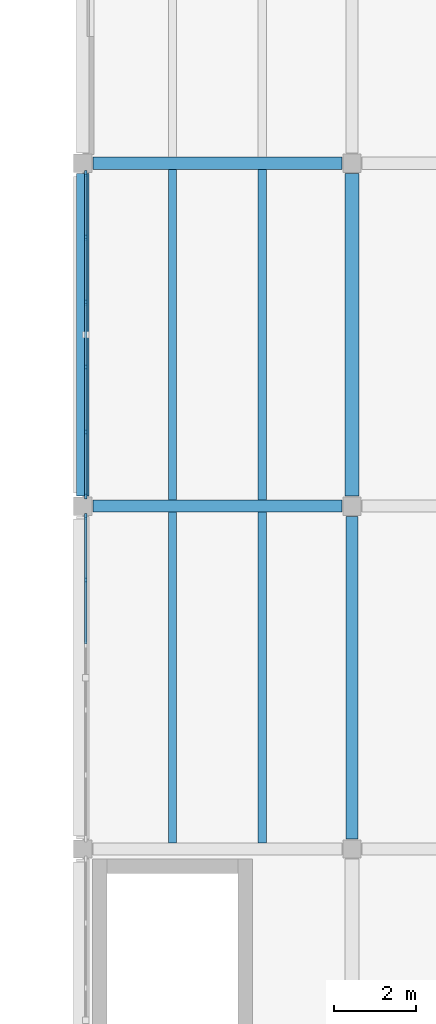
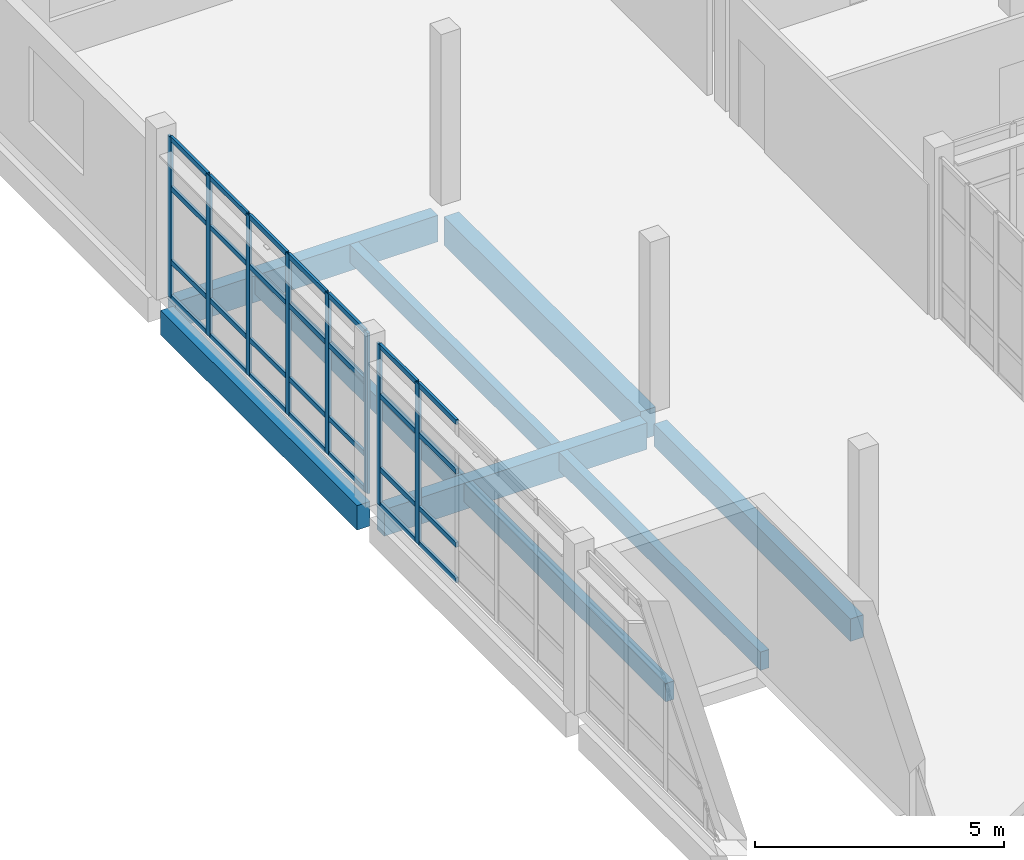
# One storey, part 29 of 74: 36 members, 9 beams, 2 elements without a shape of their own.
"""IFC4 building model written with IfcOpenShell, lengths in metres."""

from ifc_helpers import new_model, si_unit, direction, frame, origin, origin_2d, place, context, subcontext, project, spatial, rectangle, extrude, material, material_profile, profile_set, type_object, element, aggregate, save


model = new_model("IFC4")

# Units and contexts
model_context = context("Model", 3, precision=1e-05, world=origin(), true_north=direction((0.0, 1.0)))
body_context = subcontext(model_context, "Body", "Model", "MODEL_VIEW")
ifc_project = project(units=[si_unit("LENGTHUNIT", "METRE"), si_unit("AREAUNIT", "SQUARE_METRE"), si_unit("VOLUMEUNIT", "CUBIC_METRE"), si_unit("PLANEANGLEUNIT", "RADIAN"), si_unit("MASSUNIT", "GRAM", prefix="KILO")], contexts=[model_context])

# Site, building, storey
site_placement = place(None, origin())
site = spatial("IfcSite", under=ifc_project, at=site_placement, CompositionType="ELEMENT")
building_placement = place(site_placement, origin())
building = spatial("IfcBuilding", under=site, at=building_placement, Name="Qaldarim Faculty of Natural and Applied Sciences", CompositionType="ELEMENT")
storey_placement = place(building_placement, frame((0.0, 0.0, 14.39990234375)))
storey = spatial("IfcBuildingStorey", under=building, at=storey_placement, Name="L03", CompositionType="ELEMENT", Elevation=14.39990234375)

# Beams
ifc_material_1 = material(Name="Concrete C40/50", Category="concrete")
ifc_material_profile_1 = material_profile(ifc_material_1, rectangle(XDim=0.300048828125, YDim=0.550048828125, at=origin_2d()), Name="RC-B300x550")
ifc_profile_set_1 = profile_set([ifc_material_profile_1], Name="Concrete C40/50")
beam_type_1 = type_object("IfcBeamType", Name="FloorBeam-RC300x550", PredefinedType="BEAM", material=ifc_profile_set_1)
beam_1_placement = place(storey_placement, frame((158.39990234375, 92.64990234375, -0.534912109375), z_axis=(0.0, 1.0, 0.0), x_axis=(-1.0, 0.0, 0.0)))
element("IfcBeam", 1, at=beam_1_placement, inside=storey, type_object=beam_type_1, Name="Beam RC-B300x550 L02 X25/Y12-Y13", PredefinedType="BEAM", context=body_context, shape_type="SweptSolid", body=[
    extrude(rectangle(XDim=0.300048828125, YDim=0.550048828125, at=origin_2d()), origin(), (0.0, 0.0, 1.0), 7.900146484375),
])
ifc_material_profile_2 = material_profile(ifc_material_1, rectangle(XDim=0.199951171875, YDim=0.449951171875, at=origin_2d()), Name="RC-J200x450")
ifc_profile_set_2 = profile_set([ifc_material_profile_2], Name="Concrete C40/50")
beam_type_2 = type_object("IfcBeamType", Name="LabJoist-RC200x450", PredefinedType="JOIST", material=ifc_profile_set_2)
for number, where, z_axis, x_axis, name in (
    (2, (154.0, 92.550048828125, -0.48486328125), (0.0, 1.0, 0.0), (-1.0, 0.0, 0.0), "Laboratory joist L02 bay X24Y12-1"),
    (3, (156.199951171875, 92.550048828125, -0.48486328125), (0.0, 1.0, 0.0), (-1.0, 0.0, 0.0), "Laboratory joist L02 bay X24Y12-2"),
):
    element("IfcBeam", number, at=place(storey_placement, frame(where, z_axis=z_axis, x_axis=x_axis)), inside=storey, type_object=beam_type_2, Name=name, PredefinedType="JOIST", context=body_context, shape_type="SweptSolid", body=[
        extrude(rectangle(XDim=0.199951171875, YDim=0.449951171875, at=origin_2d()), origin(), (0.0, 0.0, 1.0), 8.099853515625),
    ])
for number, where, z_axis, x_axis, name in (
    (4, (154.0, 100.949951171875, -0.48486328125), (0.0, 1.0, 0.0), (-1.0, 0.0, 0.0), "Laboratory joist L02 bay X24Y13-1"),
    (5, (156.199951171875, 100.949951171875, -0.48486328125), (0.0, 1.0, 0.0), (-1.0, 0.0, 0.0), "Laboratory joist L02 bay X24Y13-2"),
):
    element("IfcBeam", number, at=place(storey_placement, frame(where, z_axis=z_axis, x_axis=x_axis)), inside=storey, type_object=beam_type_2, Name=name, PredefinedType="JOIST", context=body_context, shape_type="SweptSolid", body=[
        extrude(rectangle(XDim=0.199951171875, YDim=0.449951171875, at=origin_2d()), origin(), (0.0, 0.0, 1.0), 8.10009765625),
    ])

# Curtain wall, members
ifc_material_2 = material(Name="Anodised aluminium AW-6063", Category="aluminium")
curtain_wall_type = type_object("IfcCurtainWallType", Name="CurtainWallSystem-M1600", PredefinedType="USERDEFINED", material=ifc_material_2)
curtain_wall_1_placement = place(storey_placement, origin())
curtain_wall_1 = element("IfcCurtainWall", 6, at=curtain_wall_1_placement, inside=storey, type_object=curtain_wall_type, Name="Curtain wall CW-L03-W-X24Y12", ObjectType="UNITISED FACADE", PredefinedType="USERDEFINED")
ifc_material_profile_3 = material_profile(ifc_material_2, rectangle(XDim=0.06005859375, YDim=0.14990234375, at=origin_2d()), Name="ALU-M60x150")
ifc_profile_set_3 = profile_set([ifc_material_profile_3], Name="Anodised aluminium AW-6063")
member_type_1 = type_object("IfcMemberType", Name="Mullion-ALU60x150", PredefinedType="MULLION", material=ifc_profile_set_3)
member_1_placement = place(storey_placement, frame((151.8798828125, 100.550048828125, 0.0), z_axis=(0.0, 0.0, 1.0), x_axis=(1.0, 0.0, 0.0)))
member_1 = element("IfcMember", 7, at=member_1_placement, type_object=member_type_1, Name="Mullion 1 of CW-L03-W-X24Y12", PredefinedType="MULLION", context=body_context, shape_type="SweptSolid", body=[
    extrude(rectangle(XDim=0.06005859375, YDim=0.14990234375, at=origin_2d()), origin(), (0.0, 0.0, 1.0), 3.940185546875),
])
member_2_placement = place(storey_placement, frame((151.8798828125, 98.988037109375, 0.0), z_axis=(0.0, 0.0, 1.0), x_axis=(1.0, 0.0, 0.0)))
member_2 = element("IfcMember", 8, at=member_2_placement, type_object=member_type_1, Name="Mullion 2 of CW-L03-W-X24Y12", PredefinedType="MULLION", context=body_context, shape_type="SweptSolid", body=[
    extrude(rectangle(XDim=0.06005859375, YDim=0.14990234375, at=origin_2d()), origin(), (0.0, 0.0, 1.0), 3.940185546875),
])

curtain_wall_2_placement = place(storey_placement, origin())
curtain_wall_2 = element("IfcCurtainWall", 9, at=curtain_wall_2_placement, inside=storey, type_object=curtain_wall_type, Name="Curtain wall CW-L03-W-X24Y13", ObjectType="UNITISED FACADE", PredefinedType="USERDEFINED")
member_3_placement = place(storey_placement, frame((151.8798828125, 108.949951171875, 0.0), z_axis=(0.0, 0.0, 1.0), x_axis=(1.0, 0.0, 0.0)))
member_3 = element("IfcMember", 10, at=member_3_placement, type_object=member_type_1, Name="Mullion 1 of CW-L03-W-X24Y13", PredefinedType="MULLION", context=body_context, shape_type="SweptSolid", body=[
    extrude(rectangle(XDim=0.06005859375, YDim=0.14990234375, at=origin_2d()), origin(), (0.0, 0.0, 1.0), 3.940185546875),
])
member_4_placement = place(storey_placement, frame((151.8798828125, 107.387939453125, 0.0), z_axis=(0.0, 0.0, 1.0), x_axis=(1.0, 0.0, 0.0)))
member_4 = element("IfcMember", 11, at=member_4_placement, type_object=member_type_1, Name="Mullion 2 of CW-L03-W-X24Y13", PredefinedType="MULLION", context=body_context, shape_type="SweptSolid", body=[
    extrude(rectangle(XDim=0.06005859375, YDim=0.14990234375, at=origin_2d()), origin(), (0.0, 0.0, 1.0), 3.940185546875),
])
member_5_placement = place(storey_placement, frame((151.8798828125, 105.7958984375, 0.0), z_axis=(0.0, 0.0, 1.0), x_axis=(1.0, 0.0, 0.0)))
member_5 = element("IfcMember", 12, at=member_5_placement, type_object=member_type_1, Name="Mullion 3 of CW-L03-W-X24Y13", PredefinedType="MULLION", context=body_context, shape_type="SweptSolid", body=[
    extrude(rectangle(XDim=0.06005859375, YDim=0.14990234375, at=origin_2d()), origin(), (0.0, 0.0, 1.0), 3.940185546875),
])
member_6_placement = place(storey_placement, frame((151.8798828125, 104.2041015625, 0.0), z_axis=(0.0, 0.0, 1.0), x_axis=(1.0, 0.0, 0.0)))
member_6 = element("IfcMember", 13, at=member_6_placement, type_object=member_type_1, Name="Mullion 4 of CW-L03-W-X24Y13", PredefinedType="MULLION", context=body_context, shape_type="SweptSolid", body=[
    extrude(rectangle(XDim=0.06005859375, YDim=0.14990234375, at=origin_2d()), origin(), (0.0, 0.0, 1.0), 3.940185546875),
])
member_7_placement = place(storey_placement, frame((151.8798828125, 102.612060546875, 0.0), z_axis=(0.0, 0.0, 1.0), x_axis=(1.0, 0.0, 0.0)))
member_7 = element("IfcMember", 14, at=member_7_placement, type_object=member_type_1, Name="Mullion 5 of CW-L03-W-X24Y13", PredefinedType="MULLION", context=body_context, shape_type="SweptSolid", body=[
    extrude(rectangle(XDim=0.06005859375, YDim=0.14990234375, at=origin_2d()), origin(), (0.0, 0.0, 1.0), 3.940185546875),
])
member_8_placement = place(storey_placement, frame((151.8798828125, 101.050048828125, 0.0), z_axis=(0.0, 0.0, 1.0), x_axis=(1.0, 0.0, 0.0)))
member_8 = element("IfcMember", 15, at=member_8_placement, type_object=member_type_1, Name="Mullion 6 of CW-L03-W-X24Y13", PredefinedType="MULLION", context=body_context, shape_type="SweptSolid", body=[
    extrude(rectangle(XDim=0.06005859375, YDim=0.14990234375, at=origin_2d()), origin(), (0.0, 0.0, 1.0), 3.940185546875),
])

# Beams
ifc_material_profile_4 = material_profile(ifc_material_1, rectangle(XDim=0.300048828125, YDim=0.64990234375, at=origin_2d()), Name="RC-B300x650")
ifc_profile_set_4 = profile_set([ifc_material_profile_4], Name="Concrete C40/50")
beam_type_3 = type_object("IfcBeamType", Name="PrimaryBeam-RC300x650", PredefinedType="BEAM", material=ifc_profile_set_4)
for number, where, z_axis, x_axis, name in (
    (16, (152.050048828125, 100.800048828125, -0.5849609375), (1.0, 0.0, 0.0), (0.0, 1.0, 0.0), "Beam RC-B300x650 L02 X24-X25/Y13"),
    (17, (152.050048828125, 109.199951171875, -0.5849609375), (1.0, 0.0, 0.0), (0.0, 1.0, 0.0), "Beam RC-B300x650 L02 X24-X25/Y14"),
):
    element("IfcBeam", number, at=place(storey_placement, frame(where, z_axis=z_axis, x_axis=x_axis)), inside=storey, type_object=beam_type_3, Name=name, PredefinedType="BEAM", context=body_context, shape_type="SweptSolid", body=[
        extrude(rectangle(XDim=0.300048828125, YDim=0.64990234375, at=origin_2d()), origin(), (0.0, 0.0, 1.0), 6.099853515625),
    ])
ifc_material_profile_5 = material_profile(ifc_material_1, rectangle(XDim=0.35009765625, YDim=0.699951171875, at=origin_2d()), Name="RC-B350x700")
ifc_profile_set_5 = profile_set([ifc_material_profile_5], Name="Concrete C40/50")
beam_type_4 = type_object("IfcBeamType", Name="PrimaryGirder-RC350x700", PredefinedType="BEAM", material=ifc_profile_set_5)
beam_2_placement = place(storey_placement, frame((158.39990234375, 101.050048828125, -0.60986328125), z_axis=(0.0, 1.0, 0.0), x_axis=(-1.0, 0.0, 0.0)))
element("IfcBeam", 18, at=beam_2_placement, inside=storey, type_object=beam_type_4, Name="Beam RC-B350x700 L02 X25/Y13-Y14", PredefinedType="BEAM", context=body_context, shape_type="SweptSolid", body=[
    extrude(rectangle(XDim=0.35009765625, YDim=0.699951171875, at=origin_2d()), origin(), (0.0, 0.0, 1.0), 7.89990234375),
])
ifc_material_3 = material(Name="Precast concrete C40/50", Category="concrete")
ifc_material_profile_6 = material_profile(ifc_material_3, rectangle(XDim=0.300048828125, YDim=0.60009765625, at=origin_2d()), Name="RC-SP300x600")
ifc_profile_set_6 = profile_set([ifc_material_profile_6], Name="Precast concrete C40/50")
beam_type_5 = type_object("IfcBeamType", Name="SpandrelBeam-RC300x600", PredefinedType="SPANDREL", material=ifc_profile_set_6)
beam_3_placement = place(storey_placement, frame((151.800048828125, 101.050048828125, -0.559814453125), z_axis=(0.0, 1.0, 0.0), x_axis=(-1.0, 0.0, 0.0)))
element("IfcBeam", 19, at=beam_3_placement, inside=storey, type_object=beam_type_5, Name="Beam RC-SP300x600 L02 X24/Y13-Y14", PredefinedType="SPANDREL", context=body_context, shape_type="SweptSolid", body=[
    extrude(rectangle(XDim=0.300048828125, YDim=0.60009765625, at=origin_2d()), origin(), (0.0, 0.0, 1.0), 7.89990234375),
])

# Member
ifc_material_profile_7 = material_profile(ifc_material_2, rectangle(XDim=0.06005859375, YDim=0.1201171875, at=origin_2d()), Name="ALU-T60x120")
ifc_profile_set_7 = profile_set([ifc_material_profile_7], Name="Anodised aluminium AW-6063")
member_type_2 = type_object("IfcMemberType", Name="Transom-ALU60x120", PredefinedType="USERDEFINED", material=ifc_profile_set_7)
member_9_placement = place(storey_placement, frame((151.8798828125, 100.52001953125, 0.030029296875), z_axis=(0.0, -1.0, 0.0), x_axis=(1.0, 0.0, 0.0)))
member_9 = element("IfcMember", 20, at=member_9_placement, type_object=member_type_2, Name="Transom 1-1 of CW-L03-W-X24Y12", ObjectType="TRANSOM", PredefinedType="USERDEFINED", context=body_context, shape_type="SweptSolid", body=[
    extrude(rectangle(XDim=0.06005859375, YDim=0.1201171875, at=origin_2d()), origin(), (0.0, 0.0, 1.0), 1.501953125),
])

member_10_placement = place(storey_placement, frame((151.8798828125, 100.52001953125, 0.900146484375), z_axis=(0.0, -1.0, 0.0), x_axis=(1.0, 0.0, 0.0)))
member_10 = element("IfcMember", 21, at=member_10_placement, type_object=member_type_2, Name="Transom 1-2 of CW-L03-W-X24Y12", ObjectType="TRANSOM", PredefinedType="USERDEFINED", context=body_context, shape_type="SweptSolid", body=[
    extrude(rectangle(XDim=0.06005859375, YDim=0.1201171875, at=origin_2d()), origin(), (0.0, 0.0, 1.0), 1.501953125),
])

member_11_placement = place(storey_placement, frame((151.8798828125, 100.52001953125, 2.7001953125), z_axis=(0.0, -1.0, 0.0), x_axis=(1.0, 0.0, 0.0)))
member_11 = element("IfcMember", 22, at=member_11_placement, type_object=member_type_2, Name="Transom 1-3 of CW-L03-W-X24Y12", ObjectType="TRANSOM", PredefinedType="USERDEFINED", context=body_context, shape_type="SweptSolid", body=[
    extrude(rectangle(XDim=0.06005859375, YDim=0.1201171875, at=origin_2d()), origin(), (0.0, 0.0, 1.0), 1.501953125),
])

member_12_placement = place(storey_placement, frame((151.8798828125, 100.52001953125, 3.91015625), z_axis=(0.0, -1.0, 0.0), x_axis=(1.0, 0.0, 0.0)))
member_12 = element("IfcMember", 23, at=member_12_placement, type_object=member_type_2, Name="Transom 1-4 of CW-L03-W-X24Y12", ObjectType="TRANSOM", PredefinedType="USERDEFINED", context=body_context, shape_type="SweptSolid", body=[
    extrude(rectangle(XDim=0.06005859375, YDim=0.1201171875, at=origin_2d()), origin(), (0.0, 0.0, 1.0), 1.501953125),
])

member_13_placement = place(storey_placement, frame((151.8798828125, 98.9580078125, 0.030029296875), z_axis=(0.0, -1.0, 0.0), x_axis=(1.0, 0.0, 0.0)))
member_13 = element("IfcMember", 24, at=member_13_placement, type_object=member_type_2, Name="Transom 2-1 of CW-L03-W-X24Y12", ObjectType="TRANSOM", PredefinedType="USERDEFINED", context=body_context, shape_type="SweptSolid", body=[
    extrude(rectangle(XDim=0.06005859375, YDim=0.1201171875, at=origin_2d()), origin(), (0.0, 0.0, 1.0), 1.531982421875),
])

member_14_placement = place(storey_placement, frame((151.8798828125, 98.9580078125, 0.900146484375), z_axis=(0.0, -1.0, 0.0), x_axis=(1.0, 0.0, 0.0)))
member_14 = element("IfcMember", 25, at=member_14_placement, type_object=member_type_2, Name="Transom 2-2 of CW-L03-W-X24Y12", ObjectType="TRANSOM", PredefinedType="USERDEFINED", context=body_context, shape_type="SweptSolid", body=[
    extrude(rectangle(XDim=0.06005859375, YDim=0.1201171875, at=origin_2d()), origin(), (0.0, 0.0, 1.0), 1.531982421875),
])

member_15_placement = place(storey_placement, frame((151.8798828125, 98.9580078125, 2.7001953125), z_axis=(0.0, -1.0, 0.0), x_axis=(1.0, 0.0, 0.0)))
member_15 = element("IfcMember", 26, at=member_15_placement, type_object=member_type_2, Name="Transom 2-3 of CW-L03-W-X24Y12", ObjectType="TRANSOM", PredefinedType="USERDEFINED", context=body_context, shape_type="SweptSolid", body=[
    extrude(rectangle(XDim=0.06005859375, YDim=0.1201171875, at=origin_2d()), origin(), (0.0, 0.0, 1.0), 1.531982421875),
])

member_16_placement = place(storey_placement, frame((151.8798828125, 98.9580078125, 3.91015625), z_axis=(0.0, -1.0, 0.0), x_axis=(1.0, 0.0, 0.0)))
member_16 = element("IfcMember", 27, at=member_16_placement, type_object=member_type_2, Name="Transom 2-4 of CW-L03-W-X24Y12", ObjectType="TRANSOM", PredefinedType="USERDEFINED", context=body_context, shape_type="SweptSolid", body=[
    extrude(rectangle(XDim=0.06005859375, YDim=0.1201171875, at=origin_2d()), origin(), (0.0, 0.0, 1.0), 1.531982421875),
])

aggregate(curtain_wall_1, [member_1, member_2, member_9, member_10, member_11, member_12, member_13, member_14, member_15, member_16])

member_17_placement = place(storey_placement, frame((151.8798828125, 108.919921875, 0.030029296875), z_axis=(0.0, -1.0, 0.0), x_axis=(1.0, 0.0, 0.0)))
member_17 = element("IfcMember", 28, at=member_17_placement, type_object=member_type_2, Name="Transom 1-1 of CW-L03-W-X24Y13", ObjectType="TRANSOM", PredefinedType="USERDEFINED", context=body_context, shape_type="SweptSolid", body=[
    extrude(rectangle(XDim=0.06005859375, YDim=0.1201171875, at=origin_2d()), origin(), (0.0, 0.0, 1.0), 1.501953125),
])

member_18_placement = place(storey_placement, frame((151.8798828125, 108.919921875, 0.900146484375), z_axis=(0.0, -1.0, 0.0), x_axis=(1.0, 0.0, 0.0)))
member_18 = element("IfcMember", 29, at=member_18_placement, type_object=member_type_2, Name="Transom 1-2 of CW-L03-W-X24Y13", ObjectType="TRANSOM", PredefinedType="USERDEFINED", context=body_context, shape_type="SweptSolid", body=[
    extrude(rectangle(XDim=0.06005859375, YDim=0.1201171875, at=origin_2d()), origin(), (0.0, 0.0, 1.0), 1.501953125),
])

member_19_placement = place(storey_placement, frame((151.8798828125, 108.919921875, 2.7001953125), z_axis=(0.0, -1.0, 0.0), x_axis=(1.0, 0.0, 0.0)))
member_19 = element("IfcMember", 30, at=member_19_placement, type_object=member_type_2, Name="Transom 1-3 of CW-L03-W-X24Y13", ObjectType="TRANSOM", PredefinedType="USERDEFINED", context=body_context, shape_type="SweptSolid", body=[
    extrude(rectangle(XDim=0.06005859375, YDim=0.1201171875, at=origin_2d()), origin(), (0.0, 0.0, 1.0), 1.501953125),
])

member_20_placement = place(storey_placement, frame((151.8798828125, 108.919921875, 3.91015625), z_axis=(0.0, -1.0, 0.0), x_axis=(1.0, 0.0, 0.0)))
member_20 = element("IfcMember", 31, at=member_20_placement, type_object=member_type_2, Name="Transom 1-4 of CW-L03-W-X24Y13", ObjectType="TRANSOM", PredefinedType="USERDEFINED", context=body_context, shape_type="SweptSolid", body=[
    extrude(rectangle(XDim=0.06005859375, YDim=0.1201171875, at=origin_2d()), origin(), (0.0, 0.0, 1.0), 1.501953125),
])

member_21_placement = place(storey_placement, frame((151.8798828125, 107.35791015625, 0.030029296875), z_axis=(0.0, -1.0, 0.0), x_axis=(1.0, 0.0, 0.0)))
member_21 = element("IfcMember", 32, at=member_21_placement, type_object=member_type_2, Name="Transom 2-1 of CW-L03-W-X24Y13", ObjectType="TRANSOM", PredefinedType="USERDEFINED", context=body_context, shape_type="SweptSolid", body=[
    extrude(rectangle(XDim=0.06005859375, YDim=0.1201171875, at=origin_2d()), origin(), (0.0, 0.0, 1.0), 1.531982421875),
])

member_22_placement = place(storey_placement, frame((151.8798828125, 107.35791015625, 0.900146484375), z_axis=(0.0, -1.0, 0.0), x_axis=(1.0, 0.0, 0.0)))
member_22 = element("IfcMember", 33, at=member_22_placement, type_object=member_type_2, Name="Transom 2-2 of CW-L03-W-X24Y13", ObjectType="TRANSOM", PredefinedType="USERDEFINED", context=body_context, shape_type="SweptSolid", body=[
    extrude(rectangle(XDim=0.06005859375, YDim=0.1201171875, at=origin_2d()), origin(), (0.0, 0.0, 1.0), 1.531982421875),
])

member_23_placement = place(storey_placement, frame((151.8798828125, 107.35791015625, 2.7001953125), z_axis=(0.0, -1.0, 0.0), x_axis=(1.0, 0.0, 0.0)))
member_23 = element("IfcMember", 34, at=member_23_placement, type_object=member_type_2, Name="Transom 2-3 of CW-L03-W-X24Y13", ObjectType="TRANSOM", PredefinedType="USERDEFINED", context=body_context, shape_type="SweptSolid", body=[
    extrude(rectangle(XDim=0.06005859375, YDim=0.1201171875, at=origin_2d()), origin(), (0.0, 0.0, 1.0), 1.531982421875),
])

member_24_placement = place(storey_placement, frame((151.8798828125, 107.35791015625, 3.91015625), z_axis=(0.0, -1.0, 0.0), x_axis=(1.0, 0.0, 0.0)))
member_24 = element("IfcMember", 35, at=member_24_placement, type_object=member_type_2, Name="Transom 2-4 of CW-L03-W-X24Y13", ObjectType="TRANSOM", PredefinedType="USERDEFINED", context=body_context, shape_type="SweptSolid", body=[
    extrude(rectangle(XDim=0.06005859375, YDim=0.1201171875, at=origin_2d()), origin(), (0.0, 0.0, 1.0), 1.531982421875),
])

member_25_placement = place(storey_placement, frame((151.8798828125, 105.76611328125, 0.030029296875), z_axis=(0.0, -1.0, 0.0), x_axis=(1.0, 0.0, 0.0)))
member_25 = element("IfcMember", 36, at=member_25_placement, type_object=member_type_2, Name="Transom 3-1 of CW-L03-W-X24Y13", ObjectType="TRANSOM", PredefinedType="USERDEFINED", context=body_context, shape_type="SweptSolid", body=[
    extrude(rectangle(XDim=0.06005859375, YDim=0.1201171875, at=origin_2d()), origin(), (0.0, 0.0, 1.0), 1.5322265625),
])

member_26_placement = place(storey_placement, frame((151.8798828125, 105.76611328125, 0.900146484375), z_axis=(0.0, -1.0, 0.0), x_axis=(1.0, 0.0, 0.0)))
member_26 = element("IfcMember", 37, at=member_26_placement, type_object=member_type_2, Name="Transom 3-2 of CW-L03-W-X24Y13", ObjectType="TRANSOM", PredefinedType="USERDEFINED", context=body_context, shape_type="SweptSolid", body=[
    extrude(rectangle(XDim=0.06005859375, YDim=0.1201171875, at=origin_2d()), origin(), (0.0, 0.0, 1.0), 1.5322265625),
])

member_27_placement = place(storey_placement, frame((151.8798828125, 105.76611328125, 2.7001953125), z_axis=(0.0, -1.0, 0.0), x_axis=(1.0, 0.0, 0.0)))
member_27 = element("IfcMember", 38, at=member_27_placement, type_object=member_type_2, Name="Transom 3-3 of CW-L03-W-X24Y13", ObjectType="TRANSOM", PredefinedType="USERDEFINED", context=body_context, shape_type="SweptSolid", body=[
    extrude(rectangle(XDim=0.06005859375, YDim=0.1201171875, at=origin_2d()), origin(), (0.0, 0.0, 1.0), 1.5322265625),
])

member_28_placement = place(storey_placement, frame((151.8798828125, 105.76611328125, 3.91015625), z_axis=(0.0, -1.0, 0.0), x_axis=(1.0, 0.0, 0.0)))
member_28 = element("IfcMember", 39, at=member_28_placement, type_object=member_type_2, Name="Transom 3-4 of CW-L03-W-X24Y13", ObjectType="TRANSOM", PredefinedType="USERDEFINED", context=body_context, shape_type="SweptSolid", body=[
    extrude(rectangle(XDim=0.06005859375, YDim=0.1201171875, at=origin_2d()), origin(), (0.0, 0.0, 1.0), 1.5322265625),
])

member_29_placement = place(storey_placement, frame((151.8798828125, 104.174072265625, 0.030029296875), z_axis=(0.0, -1.0, 0.0), x_axis=(1.0, 0.0, 0.0)))
member_29 = element("IfcMember", 40, at=member_29_placement, type_object=member_type_2, Name="Transom 4-1 of CW-L03-W-X24Y13", ObjectType="TRANSOM", PredefinedType="USERDEFINED", context=body_context, shape_type="SweptSolid", body=[
    extrude(rectangle(XDim=0.06005859375, YDim=0.1201171875, at=origin_2d()), origin(), (0.0, 0.0, 1.0), 1.531982421875),
])

member_30_placement = place(storey_placement, frame((151.8798828125, 104.174072265625, 0.900146484375), z_axis=(0.0, -1.0, 0.0), x_axis=(1.0, 0.0, 0.0)))
member_30 = element("IfcMember", 41, at=member_30_placement, type_object=member_type_2, Name="Transom 4-2 of CW-L03-W-X24Y13", ObjectType="TRANSOM", PredefinedType="USERDEFINED", context=body_context, shape_type="SweptSolid", body=[
    extrude(rectangle(XDim=0.06005859375, YDim=0.1201171875, at=origin_2d()), origin(), (0.0, 0.0, 1.0), 1.531982421875),
])

member_31_placement = place(storey_placement, frame((151.8798828125, 104.174072265625, 2.7001953125), z_axis=(0.0, -1.0, 0.0), x_axis=(1.0, 0.0, 0.0)))
member_31 = element("IfcMember", 42, at=member_31_placement, type_object=member_type_2, Name="Transom 4-3 of CW-L03-W-X24Y13", ObjectType="TRANSOM", PredefinedType="USERDEFINED", context=body_context, shape_type="SweptSolid", body=[
    extrude(rectangle(XDim=0.06005859375, YDim=0.1201171875, at=origin_2d()), origin(), (0.0, 0.0, 1.0), 1.531982421875),
])

member_32_placement = place(storey_placement, frame((151.8798828125, 104.174072265625, 3.91015625), z_axis=(0.0, -1.0, 0.0), x_axis=(1.0, 0.0, 0.0)))
member_32 = element("IfcMember", 43, at=member_32_placement, type_object=member_type_2, Name="Transom 4-4 of CW-L03-W-X24Y13", ObjectType="TRANSOM", PredefinedType="USERDEFINED", context=body_context, shape_type="SweptSolid", body=[
    extrude(rectangle(XDim=0.06005859375, YDim=0.1201171875, at=origin_2d()), origin(), (0.0, 0.0, 1.0), 1.531982421875),
])

member_33_placement = place(storey_placement, frame((151.8798828125, 102.58203125, 0.030029296875), z_axis=(0.0, -1.0, 0.0), x_axis=(1.0, 0.0, 0.0)))
member_33 = element("IfcMember", 44, at=member_33_placement, type_object=member_type_2, Name="Transom 5-1 of CW-L03-W-X24Y13", ObjectType="TRANSOM", PredefinedType="USERDEFINED", context=body_context, shape_type="SweptSolid", body=[
    extrude(rectangle(XDim=0.06005859375, YDim=0.1201171875, at=origin_2d()), origin(), (0.0, 0.0, 1.0), 1.501953125),
])

member_34_placement = place(storey_placement, frame((151.8798828125, 102.58203125, 0.900146484375), z_axis=(0.0, -1.0, 0.0), x_axis=(1.0, 0.0, 0.0)))
member_34 = element("IfcMember", 45, at=member_34_placement, type_object=member_type_2, Name="Transom 5-2 of CW-L03-W-X24Y13", ObjectType="TRANSOM", PredefinedType="USERDEFINED", context=body_context, shape_type="SweptSolid", body=[
    extrude(rectangle(XDim=0.06005859375, YDim=0.1201171875, at=origin_2d()), origin(), (0.0, 0.0, 1.0), 1.501953125),
])

member_35_placement = place(storey_placement, frame((151.8798828125, 102.58203125, 2.7001953125), z_axis=(0.0, -1.0, 0.0), x_axis=(1.0, 0.0, 0.0)))
member_35 = element("IfcMember", 46, at=member_35_placement, type_object=member_type_2, Name="Transom 5-3 of CW-L03-W-X24Y13", ObjectType="TRANSOM", PredefinedType="USERDEFINED", context=body_context, shape_type="SweptSolid", body=[
    extrude(rectangle(XDim=0.06005859375, YDim=0.1201171875, at=origin_2d()), origin(), (0.0, 0.0, 1.0), 1.501953125),
])

member_36_placement = place(storey_placement, frame((151.8798828125, 102.58203125, 3.91015625), z_axis=(0.0, -1.0, 0.0), x_axis=(1.0, 0.0, 0.0)))
member_36 = element("IfcMember", 47, at=member_36_placement, type_object=member_type_2, Name="Transom 5-4 of CW-L03-W-X24Y13", ObjectType="TRANSOM", PredefinedType="USERDEFINED", context=body_context, shape_type="SweptSolid", body=[
    extrude(rectangle(XDim=0.06005859375, YDim=0.1201171875, at=origin_2d()), origin(), (0.0, 0.0, 1.0), 1.501953125),
])

aggregate(curtain_wall_2, [member_3, member_4, member_5, member_6, member_7, member_8, member_17, member_18, member_19, member_20, member_21, member_22, member_23, member_24, member_25, member_26, member_27, member_28, member_29, member_30, member_31, member_32, member_33, member_34, member_35, member_36])

save(model, "model.ifc")
